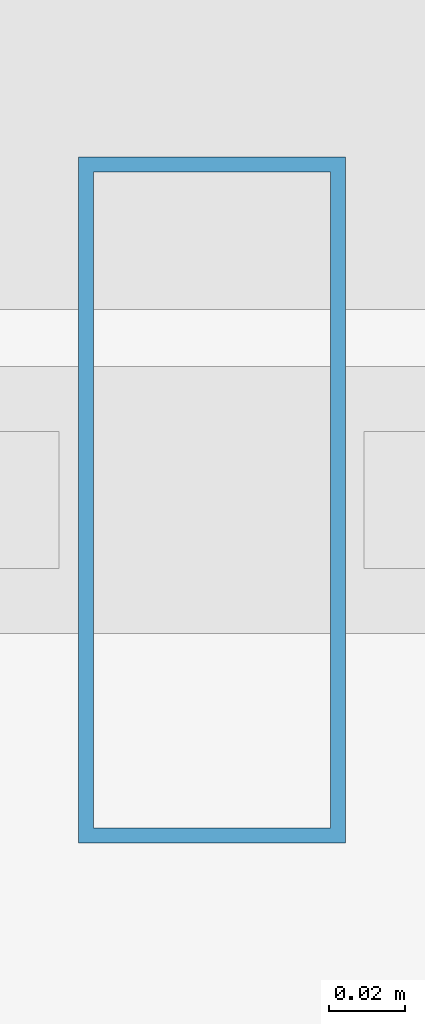
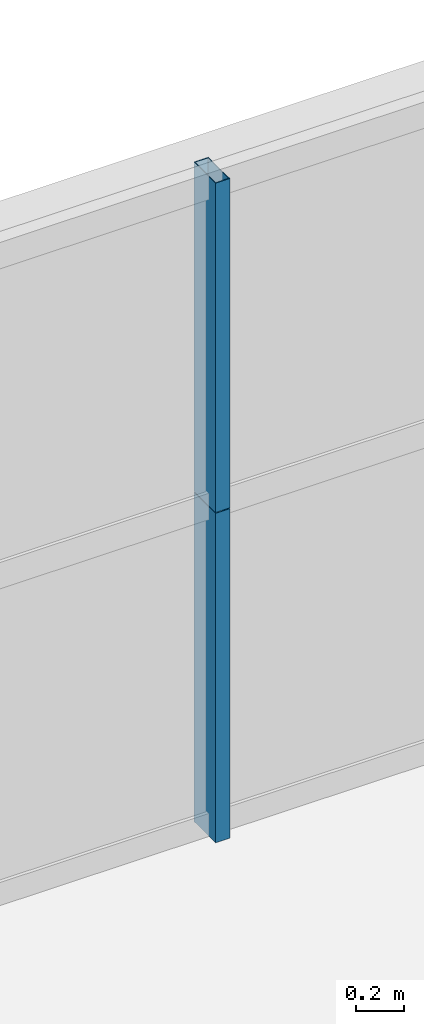
# One storey, part 35 of 43: 2 members, 1 element without a shape of its own.
"""IFC4 building model written with IfcOpenShell, lengths in metres."""

from ifc_helpers import new_model, si_unit, direction, frame, origin, origin_2d, place, context, subcontext, project, spatial, hollow_rectangle, extrude, source, transform, mapped, material, layer, layer_set, material_profile, profile_set, type_object, element, aggregate, save


model = new_model("IFC4")

# Units and contexts
model_context = context("Model", 3, precision=1e-05, world=origin(), true_north=direction((0.0, 1.0)))
body_context = subcontext(model_context, "Body", "Model", "MODEL_VIEW")
ifc_project = project(units=[si_unit("LENGTHUNIT", "METRE"), si_unit("AREAUNIT", "SQUARE_METRE"), si_unit("VOLUMEUNIT", "CUBIC_METRE"), si_unit("PLANEANGLEUNIT", "RADIAN"), si_unit("MASSUNIT", "GRAM", prefix="KILO"), si_unit("THERMODYNAMICTEMPERATUREUNIT", "KELVIN"), si_unit("POWERUNIT", "WATT")], contexts=[model_context])

# Site, building, storey
site_placement = place(None, origin())
site = spatial("IfcSite", under=ifc_project, at=site_placement, CompositionType="ELEMENT")
building_placement = place(site_placement, origin())
building = spatial("IfcBuilding", under=site, at=building_placement, Name="Yuzanri Waterfront Tower", CompositionType="ELEMENT")
storey_placement = place(building_placement, frame((0.0, 0.0, 78.39990234375)))
storey = spatial("IfcBuildingStorey", under=building, at=storey_placement, Name="L20", CompositionType="ELEMENT", Elevation=78.39990234375)

# Curtain wall, members
ifc_material_1 = material(Name="Anodized Architectural Bronze", Category="metal")
ifc_layer = layer(ifc_material_1, 0.159912109375)
ifc_layer_set = layer_set([ifc_layer], Name="Anodized Architectural Bronze")
curtain_wall_type = type_object("IfcCurtainWallType", Name="Anodized Bronze Hotel Lower-Tier Recessed Unitized Curtain Wall 8100", PredefinedType="NOTDEFINED", material=ifc_layer_set)
curtain_wall_placement = place(storey_placement, origin())
curtain_wall = element("IfcCurtainWall", 1, at=curtain_wall_placement, inside=storey, type_object=curtain_wall_type, Name="L20 Curtain Wall CW-L20-NR", PredefinedType="NOTDEFINED")
ifc_material_2 = material(Name="Anodized Architectural Bronze", Category="metal")
ifc_material_profile = material_profile(ifc_material_2, hollow_rectangle(XDim=0.070068359375, YDim=0.179931640625, WallThickness=0.00390625, at=origin_2d()), Name="CWM 70x180")
ifc_profile_set = profile_set([ifc_material_profile], Name="Anodized Architectural Bronze")
member_type = type_object("IfcMemberType", Name="Anodized Bronze Standard Curtain-Wall Mullion 70x180", PredefinedType="MULLION", material=ifc_profile_set)
shared_shape = source(origin(), body_context, "Body", "SweptSolid", [
    extrude(hollow_rectangle(XDim=0.070068359375, YDim=0.179931640625, WallThickness=0.00390625, at=origin_2d()), origin(), (0.0, 0.0, 1.0), 1.68798828125),
])
member_1_placement = place(storey_placement, frame((46.10009765625, 50.75, 0.0), z_axis=(0.0, 0.0, 1.0), x_axis=(1.0, 0.0, 0.0)))
member_1 = element("IfcMember", 2, at=member_1_placement, type_object=member_type, Name="CW-L20-NR Lower Mullion 01", PredefinedType="MULLION", context=body_context, shape_type="MappedRepresentation", body=[
    mapped(shared_shape, transform((0.0, 0.0, 0.0), scale=1.0)),
])
member_2_placement = place(storey_placement, frame((46.10009765625, 50.75, 1.692138671875), z_axis=(0.0, 0.0, 1.0), x_axis=(1.0, 0.0, 0.0)))
member_2 = element("IfcMember", 3, at=member_2_placement, type_object=member_type, Name="CW-L20-NR Upper Mullion 01", PredefinedType="MULLION", context=body_context, shape_type="MappedRepresentation", body=[
    mapped(shared_shape, transform((0.0, 0.0, 0.0), scale=1.0)),
])
aggregate(curtain_wall, [member_1, member_2])

save(model, "model.ifc")
